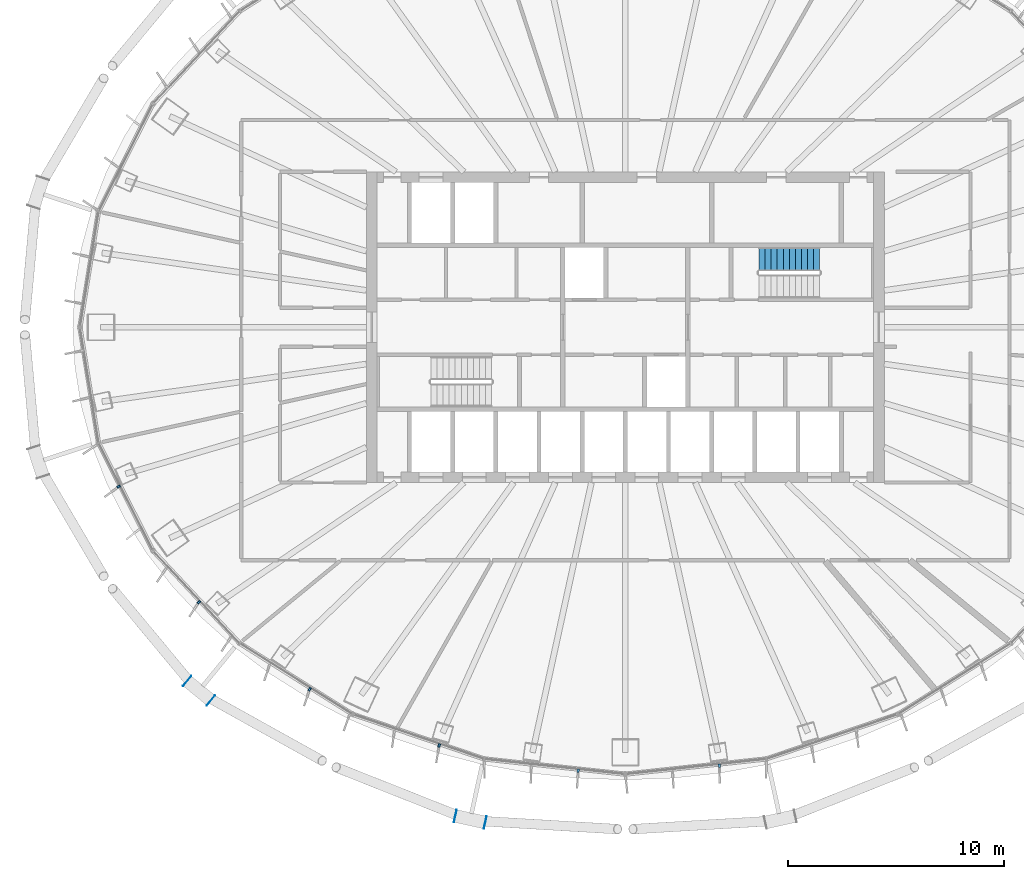
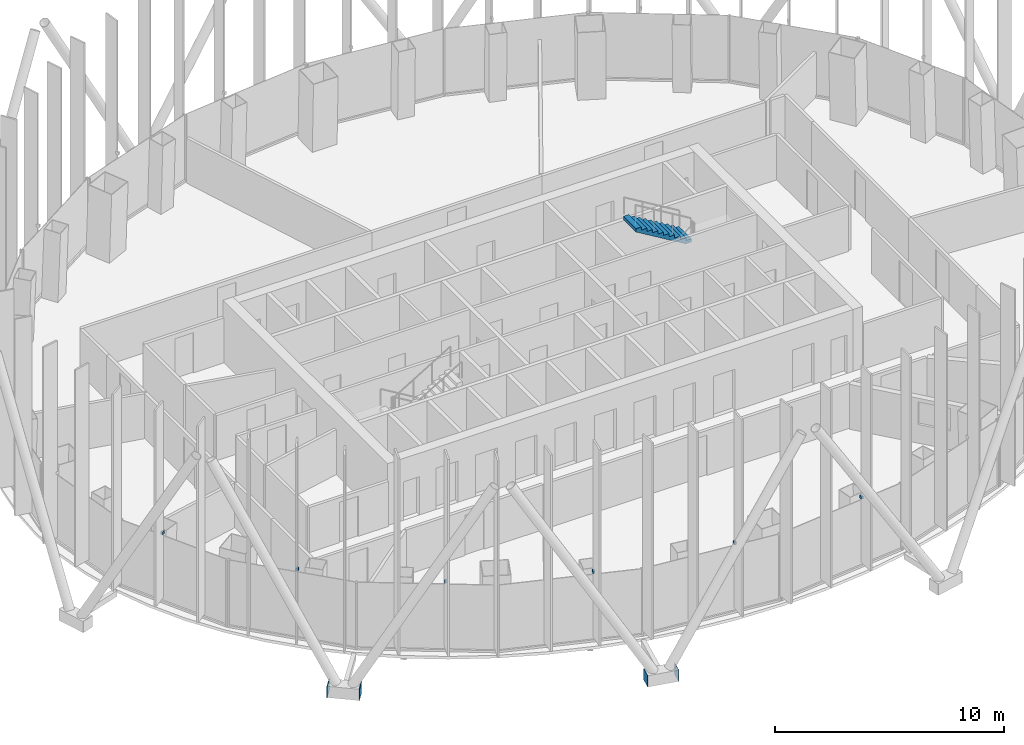
# One storey, part 11 of 19: 10 discrete accessories, 1 stair flight, 1 element without a shape of its own.
"""IFC4 building model written with IfcOpenShell, lengths in metres."""

from ifc_helpers import new_model, si_unit, direction, frame, origin, origin_2d, place, context, subcontext, project, spatial, polyline, rectangle, outline, extrude, material, layer, layer_set, type_object, element, aggregate, save


model = new_model("IFC4")

# Units and contexts
model_context = context("Model", 3, precision=1e-05, world=origin(), true_north=direction((0.0, 1.0)))
body_context = subcontext(model_context, "Body", "Model", "MODEL_VIEW")
ifc_project = project(units=[si_unit("LENGTHUNIT", "METRE"), si_unit("AREAUNIT", "SQUARE_METRE"), si_unit("VOLUMEUNIT", "CUBIC_METRE"), si_unit("PLANEANGLEUNIT", "RADIAN"), si_unit("MASSUNIT", "GRAM", prefix="KILO")], contexts=[model_context])

# Site, building, storey
site_placement = place(None, origin())
site = spatial("IfcSite", under=ifc_project, at=site_placement, CompositionType="ELEMENT")
building_placement = place(site_placement, origin())
building = spatial("IfcBuilding", under=site, at=building_placement, Name="Siaravel Broadcast Tower", CompositionType="ELEMENT")
storey_placement = place(building_placement, frame((0.0, 0.0, 119.300048828125)))
storey = spatial("IfcBuildingStorey", under=building, at=storey_placement, Name="L28", CompositionType="ELEMENT", Elevation=119.300048828125)

# Stair, stair flight
ifc_material_1 = material(Name="Concrete C40/50", Category="concrete")
stair_type = type_object("IfcStairType", Name="Core exit stair", PredefinedType="HALF_TURN_STAIR", material=ifc_material_1)
stair_placement = place(storey_placement, origin())
stair = element("IfcStair", 1, at=stair_placement, inside=storey, type_object=stair_type, Name="L28 Exit stair ST-2", PredefinedType="HALF_TURN_STAIR")
stair_flight_type = type_object("IfcStairFlightType", Name="Stair flight 1100", PredefinedType="STRAIGHT", material=ifc_material_1)
stair_flight_placement = place(storey_placement, frame((9.0, 3.14990234375, 1.849853515625), z_axis=(0.0, 0.0, 1.0), x_axis=(-1.0, 0.0, 0.0)))
stair_flight = element("IfcStairFlight", 2, at=stair_flight_placement, type_object=stair_flight_type, Name="ST-2 flight 2", NumberOfRisers=11, NumberOfTreads=10, PredefinedType="STRAIGHT", RiserHeight=0.1681818, TreadLength=0.28, context=body_context, shape_type="SweptSolid", body=[
    extrude(outline(polyline([(0.0, 0.0), (0.0, 0.168212890625), (0.280029296875, 0.168212890625), (0.280029296875, 0.33642578125), (0.56005859375, 0.33642578125), (0.56005859375, 0.504638671875), (0.840087890625, 0.504638671875), (0.840087890625, 0.672607421875), (1.1201171875, 0.672607421875), (1.1201171875, 0.8408203125), (1.39990234375, 0.8408203125), (1.39990234375, 1.009033203125), (1.679931640625, 1.009033203125), (1.679931640625, 1.17724609375), (1.9599609375, 1.17724609375), (1.9599609375, 1.345458984375), (2.239990234375, 1.345458984375), (2.239990234375, 1.513671875), (2.52001953125, 1.513671875), (2.52001953125, 1.681884765625), (2.800048828125, 1.681884765625), (2.800048828125, 1.85009765625), (2.800048828125, 1.5068359375), (0.291015625, 0.0), (0.0, 0.0)])), frame((0.0, 0.550048828125, 0.0), z_axis=(0.0, -1.0, 0.0), x_axis=(1.0, 0.0, 0.0)), (0.0, 0.0, 1.0), 1.10009765625),
])
aggregate(stair, [stair_flight])

# Discrete accessories
ifc_material_2 = material(Name="Stainless steel 316", Category="steel")
discrete_accessory_type_1 = type_object("IfcDiscreteAccessoryType", Name="Stainless steel fin bracket", PredefinedType="USERDEFINED", material=ifc_material_2)
for number, where, z_axis, x_axis, name in (
    (3, (-23.47607421875, -7.385009765625, 3.68505859375), (0.0, 0.0, 1.0), (-0.892392151, -0.451260732, 0.0), "Fin bracket L28-37"),
    (4, (-19.759765625, -12.74169921875, 3.68505859375), (0.0, 0.0, 1.0), (-0.729805608, -0.683654718, 0.0), "Fin bracket L28-40"),
    (5, (-14.624755859375, -16.7783203125, 3.68505859375), (0.0, 0.0, 1.0), (-0.532149452, -0.846650436, 0.0), "Fin bracket L28-43"),
    (6, (-8.62353515625, -19.380859375, 3.68505859375), (0.0, 0.0, 1.0), (-0.321300635, -0.946977245, 0.0), "Fin bracket L28-46"),
    (7, (-2.18359375, -20.553955078125, 3.68505859375), (0.0, 0.0, 1.0), (-0.107216783, -0.994235667, 0.0), "Fin bracket L28-49"),
    (8, (4.35888671875, -20.3193359375, 3.68505859375), (0.0, 0.0, 1.0), (0.107216783, -0.994235667, 0.0), "Fin bracket L28-52"),
):
    element("IfcDiscreteAccessory", number, at=place(storey_placement, frame(where, z_axis=z_axis, x_axis=x_axis)), inside=storey, type_object=discrete_accessory_type_1, Name=name, ObjectType="BRACKET", PredefinedType="USERDEFINED", context=body_context, shape_type="SweptSolid", body=[
        extrude(rectangle(XDim=0.159912109375, YDim=0.10009765625, at=origin_2d()), origin(), (0.0, 0.0, 1.0), 0.139892578125),
    ])
ifc_material_3 = material(Name="Steel S355", Category="steel")
ifc_layer = layer(ifc_material_3, 0.02001953125)
ifc_layer_set = layer_set([ifc_layer], Name="Steel S355")
discrete_accessory_type_2 = type_object("IfcDiscreteAccessoryType", Name="Steel end plate 20 mm", PredefinedType="USERDEFINED", material=ifc_layer_set)
for number, where, z_axis, x_axis, name in (
    (9, (-19.2041015625, -17.291748046875, -0.5), (0.0, 0.0, 1.0), (0.773604694, -0.633668508, 0.0), "End plate R12 station 45A"),
    (10, (-20.30224609375, -16.39208984375, -0.5), (0.0, 0.0, 1.0), (0.773604694, -0.633668508, 0.0), "End plate R12 station 45B"),
    (11, (-6.4912109375, -22.95068359375, -0.5), (0.0, 0.0, 1.0), (0.976750917, -0.214377344, 0.0), "End plate R12 station 51A"),
    (12, (-7.877685546875, -22.646240234375, -0.5), (0.0, 0.0, 1.0), (0.976750917, -0.214377344, 0.0), "End plate R12 station 51B"),
):
    element("IfcDiscreteAccessory", number, at=place(storey_placement, frame(where, z_axis=z_axis, x_axis=x_axis)), inside=storey, type_object=discrete_accessory_type_2, Name=name, ObjectType="END PLATE", PredefinedType="USERDEFINED", context=body_context, shape_type="SweptSolid", body=[
        extrude(rectangle(XDim=0.02001953125, YDim=0.60009765625, at=origin_2d()), origin(), (0.0, 0.0, 1.0), 0.60009765625),
    ])

save(model, "model.ifc")
